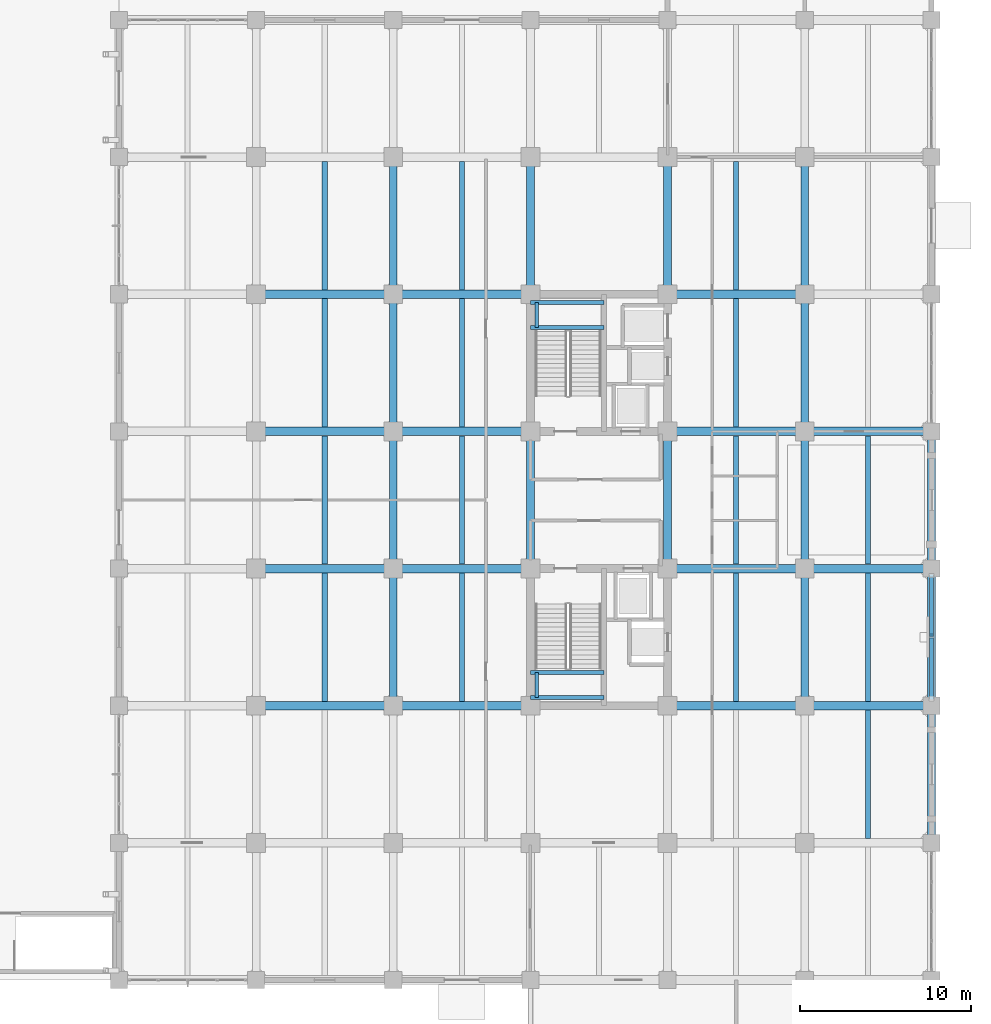
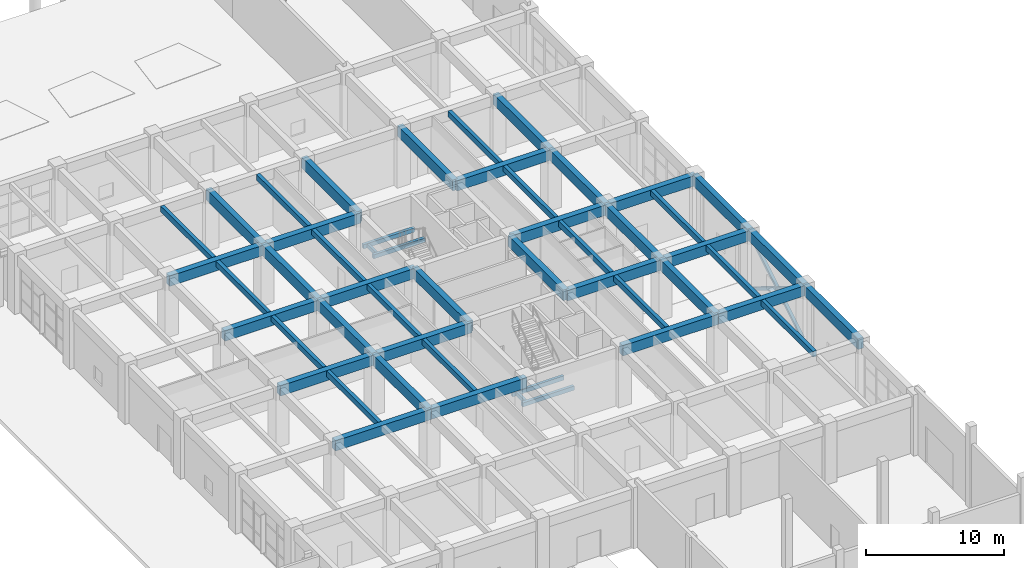
# One storey, part 55 of 90: 51 beams, 3 members.
"""IFC4 building model written with IfcOpenShell, lengths in metres."""

from ifc_helpers import new_model, si_unit, direction, frame, origin, origin_2d, place, context, subcontext, project, spatial, rectangle, hollow_rectangle, extrude, material, material_profile, profile_set, type_object, element, save


model = new_model("IFC4")

# Units and contexts
model_context = context("Model", 3, precision=1e-05, world=origin(), true_north=direction((0.0, 1.0)))
body_context = subcontext(model_context, "Body", "Model", "MODEL_VIEW")
ifc_project = project(units=[si_unit("LENGTHUNIT", "METRE"), si_unit("AREAUNIT", "SQUARE_METRE"), si_unit("VOLUMEUNIT", "CUBIC_METRE"), si_unit("PLANEANGLEUNIT", "RADIAN"), si_unit("MASSUNIT", "GRAM", prefix="KILO")], contexts=[model_context])

# Site, building, storey
site_placement = place(None, origin())
site = spatial("IfcSite", under=ifc_project, at=site_placement, CompositionType="ELEMENT")
building_placement = place(site_placement, origin())
building = spatial("IfcBuilding", under=site, at=building_placement, Name="Canggui Botanical Conservatory", CompositionType="ELEMENT")
storey_placement = place(building_placement, origin())
storey = spatial("IfcBuildingStorey", under=building, at=storey_placement, Name="L01", CompositionType="ELEMENT", Elevation=0.0)

# Beams
ifc_material_1 = material(Name="Concrete C35", Category="concrete")
ifc_material_profile_1 = material_profile(ifc_material_1, rectangle(XDim=0.300048828125, YDim=0.5, at=origin_2d()), Name="RB 300x500")
ifc_profile_set_1 = profile_set([ifc_material_profile_1], Name="Concrete C35")
beam_type_1 = type_object("IfcBeamType", Name="BM-JST02", PredefinedType="JOIST", material=ifc_profile_set_1)
for number, where, z_axis, x_axis, name in (
    (1, (142.0, 42.2548828125, 4.8701171875), (0.0, 1.0, 0.0), (-1.0, 0.0, 0.0), "Secondary Floor Joist L01-2-3"),
    (2, (142.0, 50.2548828125, 4.8701171875), (0.0, 1.0, 0.0), (-1.0, 0.0, 0.0), "Secondary Floor Joist L01-2-4"),
    (3, (142.0, 58.2548828125, 4.8701171875), (0.0, 1.0, 0.0), (-1.0, 0.0, 0.0), "Secondary Floor Joist L01-2-5"),
    (4, (142.0, 66.2548828125, 4.8701171875), (0.0, 1.0, 0.0), (-1.0, 0.0, 0.0), "Secondary Floor Joist L01-2-6"),
    (5, (150.0, 42.2548828125, 4.8701171875), (0.0, 1.0, 0.0), (-1.0, 0.0, 0.0), "Secondary Floor Joist L01-3-3"),
    (6, (150.0, 50.2548828125, 4.8701171875), (0.0, 1.0, 0.0), (-1.0, 0.0, 0.0), "Secondary Floor Joist L01-3-4"),
    (7, (150.0, 58.2548828125, 4.8701171875), (0.0, 1.0, 0.0), (-1.0, 0.0, 0.0), "Secondary Floor Joist L01-3-5"),
    (8, (150.0, 66.2548828125, 4.8701171875), (0.0, 1.0, 0.0), (-1.0, 0.0, 0.0), "Secondary Floor Joist L01-3-6"),
    (9, (166.0, 42.2548828125, 4.8701171875), (0.0, 1.0, 0.0), (-1.0, 0.0, 0.0), "Secondary Floor Joist L01-5-3"),
    (10, (166.0, 50.2548828125, 4.8701171875), (0.0, 1.0, 0.0), (-1.0, 0.0, 0.0), "Secondary Floor Joist L01-5-4"),
    (11, (166.0, 58.2548828125, 4.8701171875), (0.0, 1.0, 0.0), (-1.0, 0.0, 0.0), "Secondary Floor Joist L01-5-5"),
    (12, (166.0, 66.2548828125, 4.8701171875), (0.0, 1.0, 0.0), (-1.0, 0.0, 0.0), "Secondary Floor Joist L01-5-6"),
    (13, (173.699951171875, 34.2548828125, 4.8701171875), (0.0, 1.0, 0.0), (-1.0, 0.0, 0.0), "Secondary Floor Joist L01-6-2"),
    (14, (173.699951171875, 42.2548828125, 4.8701171875), (0.0, 1.0, 0.0), (-1.0, 0.0, 0.0), "Secondary Floor Joist L01-6-3"),
    (15, (173.699951171875, 50.2548828125, 4.8701171875), (0.0, 1.0, 0.0), (-1.0, 0.0, 0.0), "Secondary Floor Joist L01-6-4"),
):
    element("IfcBeam", number, at=place(storey_placement, frame(where, z_axis=z_axis, x_axis=x_axis)), inside=storey, type_object=beam_type_1, Name=name, PredefinedType="JOIST", context=body_context, shape_type="SweptSolid", body=[
        extrude(rectangle(XDim=0.300048828125, YDim=0.5, at=origin_2d()), origin(), (0.0, 0.0, 1.0), 7.490234375),
    ])
ifc_material_profile_2 = material_profile(ifc_material_1, rectangle(XDim=0.5, YDim=0.89990234375, at=origin_2d()), Name="RB 500x900")
ifc_profile_set_2 = profile_set([ifc_material_profile_2], Name="Concrete C35")
beam_type_2 = type_object("IfcBeamType", Name="BM-KL03", PredefinedType="BEAM", material=ifc_profile_set_2)
for number, where, z_axis, x_axis, name in (
    (16, (138.0, 42.0, 4.669921875), (1.0, 0.0, 0.0), (0.0, 1.0, 0.0), "Frame Girder L01 Y42-2"),
    (17, (146.0, 42.0, 4.669921875), (1.0, 0.0, 0.0), (0.0, 1.0, 0.0), "Frame Girder L01 Y42-3"),
    (18, (162.0, 42.0, 4.669921875), (1.0, 0.0, 0.0), (0.0, 1.0, 0.0), "Frame Girder L01 Y42-5"),
):
    element("IfcBeam", number, at=place(storey_placement, frame(where, z_axis=z_axis, x_axis=x_axis)), inside=storey, type_object=beam_type_2, Name=name, PredefinedType="BEAM", context=body_context, shape_type="SweptSolid", body=[
        extrude(rectangle(XDim=0.5, YDim=0.89990234375, at=origin_2d()), origin(), (0.0, 0.0, 1.0), 8.0),
    ])
beam_1_placement = place(storey_placement, frame((170.0, 42.0, 4.669921875), z_axis=(1.0, 0.0, 0.0), x_axis=(0.0, 1.0, 0.0)))
element("IfcBeam", 19, at=beam_1_placement, inside=storey, type_object=beam_type_2, Name="Frame Girder L01 Y42-6", PredefinedType="BEAM", context=body_context, shape_type="SweptSolid", body=[
    extrude(rectangle(XDim=0.5, YDim=0.89990234375, at=origin_2d()), origin(), (0.0, 0.0, 1.0), 7.39990234375),
])
for number, where, z_axis, x_axis, name in (
    (20, (138.0, 50.0, 4.669921875), (1.0, 0.0, 0.0), (0.0, 1.0, 0.0), "Frame Girder L01 Y50-2"),
    (21, (146.0, 50.0, 4.669921875), (1.0, 0.0, 0.0), (0.0, 1.0, 0.0), "Frame Girder L01 Y50-3"),
    (22, (162.0, 50.0, 4.669921875), (1.0, 0.0, 0.0), (0.0, 1.0, 0.0), "Frame Girder L01 Y50-5"),
):
    element("IfcBeam", number, at=place(storey_placement, frame(where, z_axis=z_axis, x_axis=x_axis)), inside=storey, type_object=beam_type_2, Name=name, PredefinedType="BEAM", context=body_context, shape_type="SweptSolid", body=[
        extrude(rectangle(XDim=0.5, YDim=0.89990234375, at=origin_2d()), origin(), (0.0, 0.0, 1.0), 8.0),
    ])
beam_2_placement = place(storey_placement, frame((170.0, 50.0, 4.669921875), z_axis=(1.0, 0.0, 0.0), x_axis=(0.0, 1.0, 0.0)))
element("IfcBeam", 23, at=beam_2_placement, inside=storey, type_object=beam_type_2, Name="Frame Girder L01 Y50-6", PredefinedType="BEAM", context=body_context, shape_type="SweptSolid", body=[
    extrude(rectangle(XDim=0.5, YDim=0.89990234375, at=origin_2d()), origin(), (0.0, 0.0, 1.0), 7.39990234375),
])
for number, where, z_axis, x_axis, name in (
    (24, (138.0, 58.0, 4.669921875), (1.0, 0.0, 0.0), (0.0, 1.0, 0.0), "Frame Girder L01 Y58-2"),
    (25, (146.0, 58.0, 4.669921875), (1.0, 0.0, 0.0), (0.0, 1.0, 0.0), "Frame Girder L01 Y58-3"),
    (26, (162.0, 58.0, 4.669921875), (1.0, 0.0, 0.0), (0.0, 1.0, 0.0), "Frame Girder L01 Y58-5"),
):
    element("IfcBeam", number, at=place(storey_placement, frame(where, z_axis=z_axis, x_axis=x_axis)), inside=storey, type_object=beam_type_2, Name=name, PredefinedType="BEAM", context=body_context, shape_type="SweptSolid", body=[
        extrude(rectangle(XDim=0.5, YDim=0.89990234375, at=origin_2d()), origin(), (0.0, 0.0, 1.0), 8.0),
    ])
beam_3_placement = place(storey_placement, frame((170.0, 58.0, 4.669921875), z_axis=(1.0, 0.0, 0.0), x_axis=(0.0, 1.0, 0.0)))
element("IfcBeam", 27, at=beam_3_placement, inside=storey, type_object=beam_type_2, Name="Frame Girder L01 Y58-6", PredefinedType="BEAM", context=body_context, shape_type="SweptSolid", body=[
    extrude(rectangle(XDim=0.5, YDim=0.89990234375, at=origin_2d()), origin(), (0.0, 0.0, 1.0), 7.39990234375),
])
for number, where, z_axis, x_axis, name in (
    (28, (138.0, 66.0, 4.669921875), (1.0, 0.0, 0.0), (0.0, 1.0, 0.0), "Frame Girder L01 Y66-2"),
    (29, (146.0, 66.0, 4.669921875), (1.0, 0.0, 0.0), (0.0, 1.0, 0.0), "Frame Girder L01 Y66-3"),
    (30, (162.0, 66.0, 4.669921875), (1.0, 0.0, 0.0), (0.0, 1.0, 0.0), "Frame Girder L01 Y66-5"),
):
    element("IfcBeam", number, at=place(storey_placement, frame(where, z_axis=z_axis, x_axis=x_axis)), inside=storey, type_object=beam_type_2, Name=name, PredefinedType="BEAM", context=body_context, shape_type="SweptSolid", body=[
        extrude(rectangle(XDim=0.5, YDim=0.89990234375, at=origin_2d()), origin(), (0.0, 0.0, 1.0), 8.0),
    ])
ifc_material_profile_3 = material_profile(ifc_material_1, rectangle(XDim=0.449951171875, YDim=0.949951171875, at=origin_2d()), Name="RB 450x950")
ifc_profile_set_3 = profile_set([ifc_material_profile_3], Name="Concrete C35")
beam_type_3 = type_object("IfcBeamType", Name="BM-KL04", PredefinedType="BEAM", material=ifc_profile_set_3)
for number, where, z_axis, x_axis, name in (
    (31, (146.0, 42.0, 4.64501953125), (0.0, 1.0, 0.0), (-1.0, 0.0, 0.0), "Frame Girder L01 X146-3"),
    (32, (146.0, 50.0, 4.64501953125), (0.0, 1.0, 0.0), (-1.0, 0.0, 0.0), "Frame Girder L01 X146-4"),
    (33, (146.0, 58.0, 4.64501953125), (0.0, 1.0, 0.0), (-1.0, 0.0, 0.0), "Frame Girder L01 X146-5"),
    (34, (146.0, 66.0, 4.64501953125), (0.0, 1.0, 0.0), (-1.0, 0.0, 0.0), "Frame Girder L01 X146-6"),
    (35, (154.0, 50.0, 4.64501953125), (0.0, 1.0, 0.0), (-1.0, 0.0, 0.0), "Frame Girder L01 X154-4"),
    (36, (154.0, 66.0, 4.64501953125), (0.0, 1.0, 0.0), (-1.0, 0.0, 0.0), "Frame Girder L01 X154-6"),
    (37, (162.0, 50.0, 4.64501953125), (0.0, 1.0, 0.0), (-1.0, 0.0, 0.0), "Frame Girder L01 X162-4"),
    (38, (162.0, 66.0, 4.64501953125), (0.0, 1.0, 0.0), (-1.0, 0.0, 0.0), "Frame Girder L01 X162-6"),
    (39, (170.0, 42.0, 4.64501953125), (0.0, 1.0, 0.0), (-1.0, 0.0, 0.0), "Frame Girder L01 X170-3"),
    (40, (170.0, 50.0, 4.64501953125), (0.0, 1.0, 0.0), (-1.0, 0.0, 0.0), "Frame Girder L01 X170-4"),
    (41, (170.0, 58.0, 4.64501953125), (0.0, 1.0, 0.0), (-1.0, 0.0, 0.0), "Frame Girder L01 X170-5"),
    (42, (170.0, 66.0, 4.64501953125), (0.0, 1.0, 0.0), (-1.0, 0.0, 0.0), "Frame Girder L01 X170-6"),
    (43, (177.39990234375, 34.0, 4.64501953125), (0.0, 1.0, 0.0), (-1.0, 0.0, 0.0), "Frame Girder L01 X178-2"),
    (44, (177.39990234375, 42.0, 4.64501953125), (0.0, 1.0, 0.0), (-1.0, 0.0, 0.0), "Frame Girder L01 X178-3"),
    (45, (177.39990234375, 50.0, 4.64501953125), (0.0, 1.0, 0.0), (-1.0, 0.0, 0.0), "Frame Girder L01 X178-4"),
):
    element("IfcBeam", number, at=place(storey_placement, frame(where, z_axis=z_axis, x_axis=x_axis)), inside=storey, type_object=beam_type_3, Name=name, PredefinedType="BEAM", context=body_context, shape_type="SweptSolid", body=[
        extrude(rectangle(XDim=0.449951171875, YDim=0.949951171875, at=origin_2d()), origin(), (0.0, 0.0, 1.0), 8.0),
    ])
ifc_material_profile_4 = material_profile(ifc_material_1, rectangle(XDim=0.239990234375, YDim=0.360107421875, at=origin_2d()), Name="RB 240x360")
ifc_profile_set_4 = profile_set([ifc_material_profile_4], Name="Concrete C35")
beam_type_4 = type_object("IfcBeamType", Name="BM-LIN01", PredefinedType="LINTEL", material=ifc_profile_set_4)
for number, where, z_axis, x_axis, name in (
    (46, (154.0, 42.47998046875, 2.320068359375), (1.0, 0.0, 0.0), (0.0, 1.0, 0.0), "ST-T1 Half-Landing Ledger Beam L01-1.1"),
    (47, (154.0, 43.948486328125, 2.320068359375), (1.0, 0.0, 0.0), (0.0, 1.0, 0.0), "ST-T1 Half-Landing Ledger Beam L01-1.2"),
    (48, (154.0, 64.051513671875, 2.320068359375), (1.0, 0.0, 0.0), (0.0, 1.0, 0.0), "ST-T2 Half-Landing Ledger Beam L01-1.1"),
    (49, (154.0, 65.52001953125, 2.320068359375), (1.0, 0.0, 0.0), (0.0, 1.0, 0.0), "ST-T2 Half-Landing Ledger Beam L01-1.2"),
):
    element("IfcBeam", number, at=place(storey_placement, frame(where, z_axis=z_axis, x_axis=x_axis)), inside=storey, type_object=beam_type_4, Name=name, PredefinedType="LINTEL", context=body_context, shape_type="SweptSolid", body=[
        extrude(rectangle(XDim=0.239990234375, YDim=0.360107421875, at=origin_2d()), origin(), (0.0, 0.0, 1.0), 4.300048828125),
    ])
ifc_material_profile_5 = material_profile(ifc_material_1, rectangle(XDim=0.199951171875, YDim=0.320068359375, at=origin_2d()), Name="RB 200x320")
ifc_profile_set_5 = profile_set([ifc_material_profile_5], Name="Concrete C35")
beam_type_5 = type_object("IfcBeamType", Name="BM-LIN02", PredefinedType="LINTEL", material=ifc_profile_set_5)
for number, where, z_axis, x_axis, name in (
    (50, (154.3798828125, 42.47998046875, 2.320068359375), (0.0, 1.0, 0.0), (-1.0, 0.0, 0.0), "ST-T1 Half-Landing Edge Ledger L01-1.3"),
    (51, (154.3798828125, 64.051513671875, 2.320068359375), (0.0, 1.0, 0.0), (-1.0, 0.0, 0.0), "ST-T2 Half-Landing Edge Ledger L01-1.3"),
):
    element("IfcBeam", number, at=place(storey_placement, frame(where, z_axis=z_axis, x_axis=x_axis)), inside=storey, type_object=beam_type_5, Name=name, PredefinedType="LINTEL", context=body_context, shape_type="SweptSolid", body=[
        extrude(rectangle(XDim=0.199951171875, YDim=0.320068359375, at=origin_2d()), origin(), (0.0, 0.0, 1.0), 1.468505859375),
    ])

# Members
ifc_material_2 = material(Name="Steel Q355B", Category="steel")
ifc_material_profile_6 = material_profile(ifc_material_2, hollow_rectangle(XDim=0.25, YDim=0.25, WallThickness=0.010009765625, at=origin_2d()), Name="SHS 250x250x10")
ifc_profile_set_6 = profile_set([ifc_material_profile_6], Name="Steel Q355B")
member_type = type_object("IfcMemberType", Name="MEM-ZC01", PredefinedType="BRACE", material=ifc_profile_set_6)
member_placement = place(storey_placement, frame((177.39990234375, 42.419921875, 0.050048828125), z_axis=(0.0, 0.852526461074, 0.522684066304), x_axis=(-1.0, 0.0, 0.0)))
element("IfcMember", 52, at=member_placement, inside=storey, type_object=member_type, Name="Seismic Concentric X-Brace Continuous Diagonal L01-A", PredefinedType="BRACE", context=body_context, shape_type="SweptSolid", body=[
    extrude(hollow_rectangle(XDim=0.25, YDim=0.25, WallThickness=0.010009765625, at=origin_2d()), origin(), (0.0, 0.0, 1.0), 8.398681640625),
])
for number, where, z_axis, x_axis, name in (
    (53, (177.39990234375, 49.580078125, 0.050048828125), (0.0, -0.852545995934, 0.522652202538), (1.0, 0.0, 0.0), "Seismic Concentric X-Brace Lower Split Diagonal L01-B1"),
    (54, (177.39990234375, 45.885009765625, 2.315673828125), (0.0, -0.852545995934, 0.522652202538), (1.0, 0.0, 0.0), "Seismic Concentric X-Brace Upper Split Diagonal L01-B2"),
):
    element("IfcMember", number, at=place(storey_placement, frame(where, z_axis=z_axis, x_axis=x_axis)), inside=storey, type_object=member_type, Name=name, PredefinedType="BRACE", context=body_context, shape_type="SweptSolid", body=[
        extrude(hollow_rectangle(XDim=0.25, YDim=0.25, WallThickness=0.010009765625, at=origin_2d()), origin(), (0.0, 0.0, 1.0), 4.064453125),
    ])

save(model, "model.ifc")
